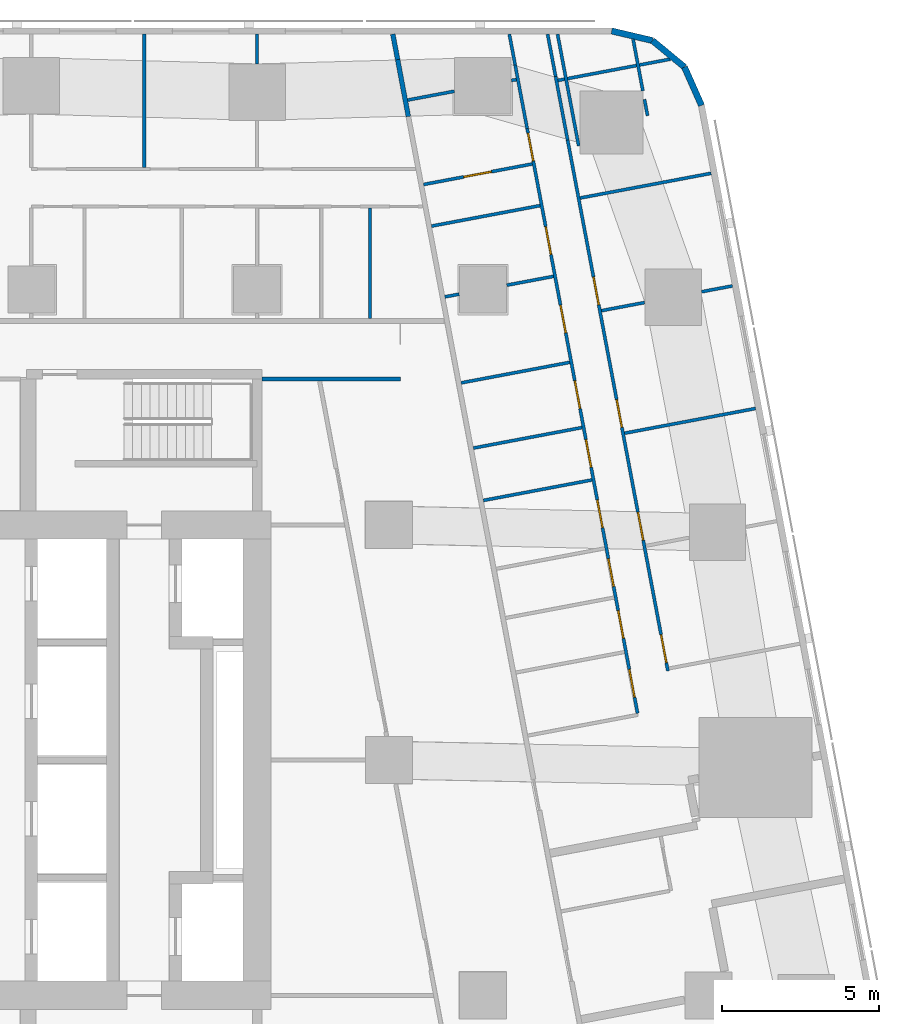
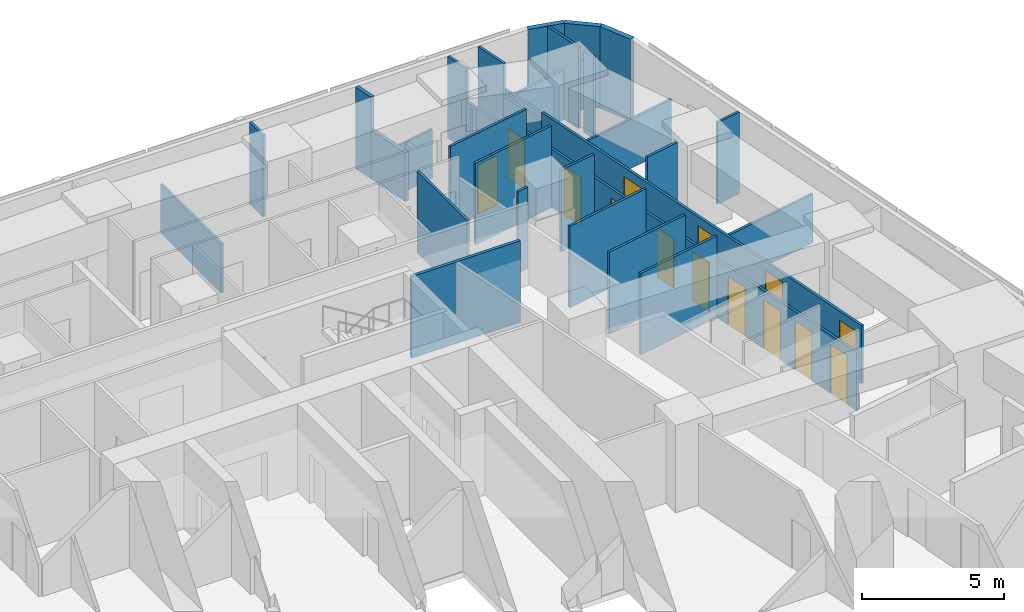
# One storey, part 11 of 15: 32 walls, 14 doors, 14 openings.
"""IFC4 building model written with IfcOpenShell, lengths in metres."""

from ifc_helpers import new_model, si_unit, direction, frame, frame_2d, origin, place, context, subcontext, project, spatial, rectangle, extrude, material, layer, layer_set, type_object, element, fill, save


model = new_model("IFC4")

# Units and contexts
model_context = context("Model", 3, precision=1e-05, world=origin(), true_north=direction((0.0, 1.0)))
body_context = subcontext(model_context, "Body", "Model", "MODEL_VIEW")
ifc_project = project(units=[si_unit("LENGTHUNIT", "METRE"), si_unit("AREAUNIT", "SQUARE_METRE"), si_unit("VOLUMEUNIT", "CUBIC_METRE"), si_unit("PLANEANGLEUNIT", "RADIAN"), si_unit("MASSUNIT", "GRAM", prefix="KILO")], contexts=[model_context])

# Site, building, storey
site_placement = place(None, origin())
site = spatial("IfcSite", under=ifc_project, at=site_placement, CompositionType="ELEMENT")
building_placement = place(site_placement, origin())
building = spatial("IfcBuilding", under=site, at=building_placement, Name="Sheger Commons Tower", CompositionType="ELEMENT")
storey_placement = place(building_placement, frame((0.0, 0.0, 162.050048828125)))
storey = spatial("IfcBuildingStorey", under=building, at=storey_placement, Name="L41", CompositionType="ELEMENT", Elevation=162.050048828125)

# Walls
ifc_material_1 = material(Name="Hollow concrete block masonry, skimmed both sides", Category="masonry")
ifc_layer_1 = layer(ifc_material_1, 0.14990234375)
ifc_layer_set_1 = layer_set([ifc_layer_1], Name="CORRIDOR WALL 150")
wall_type_1 = type_object("IfcWallType", Name="CORRIDOR WALL 150", PredefinedType="SOLIDWALL", material=ifc_layer_set_1)
wall_1_placement = place(storey_placement, frame((33.126953125, 45.64990234375, 0.0), z_axis=(0.0, 0.0, 1.0), x_axis=(0.186176514576, -0.982516313056, 0.0)))
element("IfcWall", 1, at=wall_1_placement, inside=storey, type_object=wall_type_1, Name="Corridor wall L41", PredefinedType="SOLIDWALL", context=body_context, shape_type="SweptSolid", body=[
    extrude(rectangle(XDim=0.827392578125, YDim=0.14990234375, at=frame_2d((0.41357421875, 0.0))), origin(), (0.0, 0.0, 1.0), 3.5),
])
wall_2_placement = place(storey_placement, frame((33.281005859375, 44.8369140625, 0.0), z_axis=(0.0, 0.0, 1.0), x_axis=(0.185198323004, -0.982701165745, 0.0)))
element("IfcWall", 2, at=wall_2_placement, inside=storey, type_object=wall_type_1, Name="Corridor wall L41", PredefinedType="SOLIDWALL", context=body_context, shape_type="SweptSolid", body=[
    extrude(rectangle(XDim=1.846923828125, YDim=0.14990234375, at=frame_2d((0.92333984375, 0.0))), origin(), (0.0, 0.0, 1.0), 2.099853515625),
])
ifc_material_2 = material(Name="Rendered concrete block masonry, dark grey", Category="masonry")
ifc_layer_2 = layer(ifc_material_2, 0.199951171875)
ifc_layer_set_2 = layer_set([ifc_layer_2], Name="FACADE WALL 200")
wall_type_2 = type_object("IfcWallType", Name="FACADE WALL 200", PredefinedType="SOLIDWALL", material=ifc_layer_set_2)
wall_3_placement = place(storey_placement, frame((42.969970703125, 43.376953125, 0.0), z_axis=(0.0, 0.0, 1.0), x_axis=(-0.406002956633, 0.913871762998, 0.0)))
element("IfcWall", 3, at=wall_3_placement, inside=storey, type_object=wall_type_2, Name="Facade wall L41", PredefinedType="SOLIDWALL", context=body_context, shape_type="SweptSolid", body=[
    extrude(rectangle(XDim=1.33740234375, YDim=0.199951171875, at=frame_2d((0.668701171875, 0.0))), origin(), (0.0, 0.0, 1.0), 3.5),
])
wall_4_placement = place(storey_placement, frame((42.427001953125, 44.59912109375, 0.0), z_axis=(0.0, 0.0, 1.0), x_axis=(-0.770091412544, 0.637933551655, 0.0)))
element("IfcWall", 4, at=wall_4_placement, inside=storey, type_object=wall_type_2, Name="Facade wall L41", PredefinedType="SOLIDWALL", context=body_context, shape_type="SweptSolid", body=[
    extrude(rectangle(XDim=1.324462890625, YDim=0.199951171875, at=frame_2d((0.662109375, 0.0))), origin(), (0.0, 0.0, 1.0), 3.5),
])
wall_5_placement = place(storey_placement, frame((41.406982421875, 45.444091796875, 0.0), z_axis=(0.0, 0.0, 1.0), x_axis=(-0.973453091607, 0.228886606077, 0.0)))
element("IfcWall", 5, at=wall_5_placement, inside=storey, type_object=wall_type_2, Name="Facade wall L41", PredefinedType="SOLIDWALL", context=body_context, shape_type="SweptSolid", body=[
    extrude(rectangle(XDim=1.33642578125, YDim=0.199951171875, at=frame_2d((0.668212890625, 0.0))), origin(), (0.0, 0.0, 1.0), 3.5),
])
ifc_material_3 = material(Name="Gypsum board on steel studs", Category="steel")
ifc_layer_3 = layer(ifc_material_3, 0.10009765625)
ifc_layer_set_3 = layer_set([ifc_layer_3], Name="PARTITION 100")
wall_type_3 = type_object("IfcWallType", Name="PARTITION 100", PredefinedType="PARTITIONING", material=ifc_layer_set_3)
wall_6_placement = place(storey_placement, frame((39.053955078125, 42.0849609375, 0.0), z_axis=(0.0, 0.0, 1.0), x_axis=(-0.185791584218, 0.982589175207, 0.0)))
element("IfcWall", 6, at=wall_6_placement, inside=storey, type_object=wall_type_3, Name="Partition L41", PredefinedType="PARTITIONING", context=body_context, shape_type="SweptSolid", body=[
    extrude(rectangle(XDim=3.628173828125, YDim=0.10009765625, at=frame_2d((1.81396484375, 0.0))), origin(), (0.0, 0.0, 1.0), 2.099853515625),
])
wall_7_placement = place(storey_placement, frame((40.7890625, 45.487060546875, 0.0), z_axis=(0.0, 0.0, 1.0), x_axis=(0.185572395193, -0.982630594955, 0.0)))
element("IfcWall", 7, at=wall_7_placement, inside=storey, type_object=wall_type_3, Name="Partition L41", PredefinedType="PARTITIONING", context=body_context, shape_type="SweptSolid", body=[
    extrude(rectangle(XDim=1.676025390625, YDim=0.10009765625, at=frame_2d((0.837890625, 0.0))), origin(), (0.0, 0.0, 1.0), 3.5),
])
wall_8_placement = place(storey_placement, frame((41.15087890625, 43.569091796875, 0.0), z_axis=(0.0, 0.0, 1.0), x_axis=(0.186563073924, -0.982442985342, 0.0)))
element("IfcWall", 8, at=wall_8_placement, inside=storey, type_object=wall_type_3, Name="Partition L41", PredefinedType="PARTITIONING", context=body_context, shape_type="SweptSolid", body=[
    extrude(rectangle(XDim=0.53125, YDim=0.10009765625, at=frame_2d((0.265625, 0.0))), origin(), (0.0, 0.0, 1.0), 3.5),
])
wall_9_placement = place(storey_placement, frame((38.06298828125, 45.64990234375, 0.0), z_axis=(0.0, 0.0, 1.0), x_axis=(0.185456359766, -0.982652501458, 0.0)))
element("IfcWall", 9, at=wall_9_placement, inside=storey, type_object=wall_type_3, Name="Partition L41", PredefinedType="PARTITIONING", context=body_context, shape_type="SweptSolid", body=[
    extrude(rectangle(XDim=1.375732421875, YDim=0.10009765625, at=frame_2d((0.68798828125, 0.0))), origin(), (0.0, 0.0, 1.0), 3.5),
])
wall_10_placement = place(storey_placement, frame((38.318115234375, 44.298095703125, 0.0), z_axis=(0.0, 0.0, 1.0), x_axis=(0.185481135188, -0.982647825261, 0.0)))
element("IfcWall", 10, at=wall_10_placement, inside=storey, type_object=wall_type_3, Name="Partition L41", PredefinedType="PARTITIONING", context=body_context, shape_type="SweptSolid", body=[
    extrude(rectangle(XDim=2.06396484375, YDim=0.10009765625, at=frame_2d((1.031982421875, 0.0))), origin(), (0.0, 0.0, 1.0), 2.099853515625),
])

# Wall, openings, doors
wall_11_placement = place(storey_placement, frame((38.700927734375, 42.27001953125, 0.0), z_axis=(0.0, 0.0, 1.0), x_axis=(0.185644634212, -0.982616949675, 0.0)))
wall_11 = element("IfcWall", 11, at=wall_11_placement, inside=storey, type_object=wall_type_3, Name="Partition L41", PredefinedType="PARTITIONING", context=body_context, shape_type="SweptSolid", body=[
    extrude(rectangle(XDim=17.2265625, YDim=0.10009765625, at=frame_2d((8.61328125, 0.0))), origin(), (0.0, 0.0, 1.0), 2.5),
])
opening_1_placement = place(wall_11_placement, frame((16.053955078125, 0.0, 0.0)))
opening_1 = element("IfcOpeningElement", 12, at=opening_1_placement, cuts=wall_11, Name="Opening D2", PredefinedType="OPENING", context=body_context, shape_type="SweptSolid", body=[
    extrude(rectangle(XDim=0.89990234375, YDim=2.10009765625, at=frame_2d((0.449951171875, 1.050048828125))), frame((0.0, 0.06005859375, 0.0), z_axis=(0.0, -1.0, 0.0), x_axis=(1.0, 0.0, 0.0)), (0.0, 0.0, 1.0), 0.1201171875),
])
opening_2_placement = place(wall_11_placement, frame((12.076904296875, 0.0, 0.0)))
opening_2 = element("IfcOpeningElement", 13, at=opening_2_placement, cuts=wall_11, Name="Opening D2", PredefinedType="OPENING", context=body_context, shape_type="SweptSolid", body=[
    extrude(rectangle(XDim=0.89990234375, YDim=2.10009765625, at=frame_2d((0.449951171875, 1.050048828125))), frame((0.0, 0.06005859375, 0.0), z_axis=(0.0, -1.0, 0.0), x_axis=(1.0, 0.0, 0.0)), (0.0, 0.0, 1.0), 0.1201171875),
])
opening_3_placement = place(wall_11_placement, frame((8.419921875, 0.0, 0.0)))
opening_3 = element("IfcOpeningElement", 14, at=opening_3_placement, cuts=wall_11, Name="Opening D2", PredefinedType="OPENING", context=body_context, shape_type="SweptSolid", body=[
    extrude(rectangle(XDim=0.89990234375, YDim=2.10009765625, at=frame_2d((0.449951171875, 1.050048828125))), frame((0.0, 0.06005859375, 0.0), z_axis=(0.0, -1.0, 0.0), x_axis=(1.0, 0.0, 0.0)), (0.0, 0.0, 1.0), 0.1201171875),
])
opening_4_placement = place(wall_11_placement, frame((4.444091796875, 0.0, 0.0)))
opening_4 = element("IfcOpeningElement", 15, at=opening_4_placement, cuts=wall_11, Name="Opening D2", PredefinedType="OPENING", context=body_context, shape_type="SweptSolid", body=[
    extrude(rectangle(XDim=0.89990234375, YDim=2.10009765625, at=frame_2d((0.449951171875, 1.050048828125))), frame((0.0, 0.06005859375, 0.0), z_axis=(0.0, -1.0, 0.0), x_axis=(1.0, 0.0, 0.0)), (0.0, 0.0, 1.0), 0.1201171875),
])
ifc_material_4 = material(Name="Timber door set", Category="wood")
door_type = type_object("IfcDoorType", Name="INTERNAL DOOR 900x2100", OperationType="NOTDEFINED", PredefinedType="DOOR", material=ifc_material_4)
door_1_placement = place(opening_1_placement, origin())
door_1 = element("IfcDoor", 16, at=door_1_placement, inside=storey, type_object=door_type, Name="Main bedroom door", OperationType="SINGLE_SWING_RIGHT", OverallHeight=2.10009765625, OverallWidth=0.89990234375, PredefinedType="DOOR", context=body_context, shape_type="SweptSolid", body=[
    extrude(rectangle(XDim=0.89990234375, YDim=2.10009765625, at=frame_2d((0.449951171875, 1.050048828125))), frame((0.0, 0.02490234375, 0.0), z_axis=(0.0, -1.0, 0.0), x_axis=(1.0, 0.0, 0.0)), (0.0, 0.0, 1.0), 0.050048828125),
])
fill(opening_1, door_1)
door_2_placement = place(opening_2_placement, origin())
door_2 = element("IfcDoor", 17, at=door_2_placement, inside=storey, type_object=door_type, Name="Bedroom 2 door", OperationType="SINGLE_SWING_RIGHT", OverallHeight=2.10009765625, OverallWidth=0.89990234375, PredefinedType="DOOR", context=body_context, shape_type="SweptSolid", body=[
    extrude(rectangle(XDim=0.89990234375, YDim=2.10009765625, at=frame_2d((0.449951171875, 1.050048828125))), frame((0.0, 0.02490234375, 0.0), z_axis=(0.0, -1.0, 0.0), x_axis=(1.0, 0.0, 0.0)), (0.0, 0.0, 1.0), 0.050048828125),
])
fill(opening_2, door_2)
door_3_placement = place(opening_3_placement, origin())
door_3 = element("IfcDoor", 18, at=door_3_placement, inside=storey, type_object=door_type, Name="Bedroom 3 door", OperationType="SINGLE_SWING_RIGHT", OverallHeight=2.10009765625, OverallWidth=0.89990234375, PredefinedType="DOOR", context=body_context, shape_type="SweptSolid", body=[
    extrude(rectangle(XDim=0.89990234375, YDim=2.10009765625, at=frame_2d((0.449951171875, 1.050048828125))), frame((0.0, 0.02490234375, 0.0), z_axis=(0.0, -1.0, 0.0), x_axis=(1.0, 0.0, 0.0)), (0.0, 0.0, 1.0), 0.050048828125),
])
fill(opening_3, door_3)
door_4_placement = place(opening_4_placement, origin())
door_4 = element("IfcDoor", 19, at=door_4_placement, inside=storey, type_object=door_type, Name="Bedroom 4 door", OperationType="SINGLE_SWING_RIGHT", OverallHeight=2.10009765625, OverallWidth=0.89990234375, PredefinedType="DOOR", context=body_context, shape_type="SweptSolid", body=[
    extrude(rectangle(XDim=0.89990234375, YDim=2.10009765625, at=frame_2d((0.449951171875, 1.050048828125))), frame((0.0, 0.02490234375, 0.0), z_axis=(0.0, -1.0, 0.0), x_axis=(1.0, 0.0, 0.0)), (0.0, 0.0, 1.0), 0.050048828125),
])
fill(opening_4, door_4)

# Walls
wall_12_placement = place(storey_placement, frame((36.842041015625, 45.64990234375, 0.0), z_axis=(0.0, 0.0, 1.0), x_axis=(0.185789875365, -0.982589498322, 0.0)))
element("IfcWall", 20, at=wall_12_placement, inside=storey, type_object=wall_type_3, Name="Partition L41", PredefinedType="PARTITIONING", context=body_context, shape_type="SweptSolid", body=[
    extrude(rectangle(XDim=1.001220703125, YDim=0.10009765625, at=frame_2d((0.50048828125, 0.0))), origin(), (0.0, 0.0, 1.0), 3.5),
])
wall_13_placement = place(storey_placement, frame((37.028076171875, 44.666015625, 0.0), z_axis=(0.0, 0.0, 1.0), x_axis=(0.185481135188, -0.982647825261, 0.0)))
element("IfcWall", 21, at=wall_13_placement, inside=storey, type_object=wall_type_3, Name="Partition L41", PredefinedType="PARTITIONING", context=body_context, shape_type="SweptSolid", body=[
    extrude(rectangle(XDim=2.06396484375, YDim=0.10009765625, at=frame_2d((1.031982421875, 0.0))), origin(), (0.0, 0.0, 1.0), 2.099853515625),
])

# Wall, openings, doors
wall_14_placement = place(storey_placement, frame((37.410888671875, 42.637939453125, 0.0), z_axis=(0.0, 0.0, 1.0), x_axis=(0.185554598549, -0.982633955732, 0.0)))
wall_14 = element("IfcWall", 22, at=wall_14_placement, inside=storey, type_object=wall_type_3, Name="Partition L41", PredefinedType="PARTITIONING", context=body_context, shape_type="SweptSolid", body=[
    extrude(rectangle(XDim=18.9755859375, YDim=0.10009765625, at=frame_2d((9.48779296875, 0.0))), origin(), (0.0, 0.0, 1.0), 2.5),
])
opening_5_placement = place(wall_14_placement, frame((17.551025390625, 0.0, 0.0)))
opening_5 = element("IfcOpeningElement", 23, at=opening_5_placement, cuts=wall_14, Name="Opening D2", PredefinedType="OPENING", context=body_context, shape_type="SweptSolid", body=[
    extrude(rectangle(XDim=0.89990234375, YDim=2.10009765625, at=frame_2d((0.449951171875, 1.050048828125))), frame((0.0, 0.06005859375, 0.0), z_axis=(0.0, -1.0, 0.0), x_axis=(1.0, 0.0, 0.0)), (0.0, 0.0, 1.0), 0.1201171875),
])
opening_6_placement = place(wall_14_placement, frame((13.958984375, 0.0, 0.0)))
opening_6 = element("IfcOpeningElement", 24, at=opening_6_placement, cuts=wall_14, Name="Opening D2", PredefinedType="OPENING", context=body_context, shape_type="SweptSolid", body=[
    extrude(rectangle(XDim=0.89990234375, YDim=2.10009765625, at=frame_2d((0.449951171875, 1.050048828125))), frame((0.0, 0.06005859375, 0.0), z_axis=(0.0, -1.0, 0.0), x_axis=(1.0, 0.0, 0.0)), (0.0, 0.0, 1.0), 0.1201171875),
])
opening_7_placement = place(wall_14_placement, frame((10.092041015625, 0.0, 0.0)))
opening_7 = element("IfcOpeningElement", 25, at=opening_7_placement, cuts=wall_14, Name="Opening D2", PredefinedType="OPENING", context=body_context, shape_type="SweptSolid", body=[
    extrude(rectangle(XDim=0.89990234375, YDim=2.10009765625, at=frame_2d((0.449951171875, 1.050048828125))), frame((0.0, 0.06005859375, 0.0), z_axis=(0.0, -1.0, 0.0), x_axis=(1.0, 0.0, 0.0)), (0.0, 0.0, 1.0), 0.1201171875),
])
opening_8_placement = place(wall_14_placement, frame((5.73095703125, 0.0, 0.0)))
opening_8 = element("IfcOpeningElement", 26, at=opening_8_placement, cuts=wall_14, Name="Opening D2", PredefinedType="OPENING", context=body_context, shape_type="SweptSolid", body=[
    extrude(rectangle(XDim=0.89990234375, YDim=2.10009765625, at=frame_2d((0.449951171875, 1.050048828125))), frame((0.0, 0.06005859375, 0.0), z_axis=(0.0, -1.0, 0.0), x_axis=(1.0, 0.0, 0.0)), (0.0, 0.0, 1.0), 0.1201171875),
])
opening_9_placement = place(wall_14_placement, frame((3.18798828125, 0.0, 0.0)))
opening_9 = element("IfcOpeningElement", 27, at=opening_9_placement, cuts=wall_14, Name="Opening D2", PredefinedType="OPENING", context=body_context, shape_type="SweptSolid", body=[
    extrude(rectangle(XDim=0.89990234375, YDim=2.10009765625, at=frame_2d((0.449951171875, 1.050048828125))), frame((0.0, 0.06005859375, 0.0), z_axis=(0.0, -1.0, 0.0), x_axis=(1.0, 0.0, 0.0)), (0.0, 0.0, 1.0), 0.1201171875),
])
opening_10_placement = place(wall_14_placement, frame((0.14990234375, 0.0, 0.0)))
opening_10 = element("IfcOpeningElement", 28, at=opening_10_placement, cuts=wall_14, Name="Opening D2", PredefinedType="OPENING", context=body_context, shape_type="SweptSolid", body=[
    extrude(rectangle(XDim=0.89990234375, YDim=2.10009765625, at=frame_2d((0.449951171875, 1.050048828125))), frame((0.0, 0.06005859375, 0.0), z_axis=(0.0, -1.0, 0.0), x_axis=(1.0, 0.0, 0.0)), (0.0, 0.0, 1.0), 0.1201171875),
])
opening_11_placement = place(wall_14_placement, frame((15.64208984375, 0.0, 0.0)))
opening_11 = element("IfcOpeningElement", 29, at=opening_11_placement, cuts=wall_14, Name="Opening D2", PredefinedType="OPENING", context=body_context, shape_type="SweptSolid", body=[
    extrude(rectangle(XDim=0.89990234375, YDim=2.10009765625, at=frame_2d((0.449951171875, 1.050048828125))), frame((0.0, 0.06005859375, 0.0), z_axis=(0.0, -1.0, 0.0), x_axis=(1.0, 0.0, 0.0)), (0.0, 0.0, 1.0), 0.1201171875),
])
opening_12_placement = place(wall_14_placement, frame((12.051025390625, 0.0, 0.0)))
opening_12 = element("IfcOpeningElement", 30, at=opening_12_placement, cuts=wall_14, Name="Opening D2", PredefinedType="OPENING", context=body_context, shape_type="SweptSolid", body=[
    extrude(rectangle(XDim=0.89990234375, YDim=2.10009765625, at=frame_2d((0.449951171875, 1.050048828125))), frame((0.0, 0.06005859375, 0.0), z_axis=(0.0, -1.0, 0.0), x_axis=(1.0, 0.0, 0.0)), (0.0, 0.0, 1.0), 0.1201171875),
])
opening_13_placement = place(wall_14_placement, frame((8.18505859375, 0.0, 0.0)))
opening_13 = element("IfcOpeningElement", 31, at=opening_13_placement, cuts=wall_14, Name="Opening D2", PredefinedType="OPENING", context=body_context, shape_type="SweptSolid", body=[
    extrude(rectangle(XDim=0.89990234375, YDim=2.10009765625, at=frame_2d((0.449951171875, 1.050048828125))), frame((0.0, 0.06005859375, 0.0), z_axis=(0.0, -1.0, 0.0), x_axis=(1.0, 0.0, 0.0)), (0.0, 0.0, 1.0), 0.1201171875),
])
door_5_placement = place(opening_5_placement, origin())
door_5 = element("IfcDoor", 32, at=door_5_placement, inside=storey, type_object=door_type, Name="Bathroom door", OperationType="SINGLE_SWING_LEFT", OverallHeight=2.10009765625, OverallWidth=0.89990234375, PredefinedType="DOOR", context=body_context, shape_type="SweptSolid", body=[
    extrude(rectangle(XDim=0.89990234375, YDim=2.10009765625, at=frame_2d((0.449951171875, 1.050048828125))), frame((0.0, 0.02490234375, 0.0), z_axis=(0.0, -1.0, 0.0), x_axis=(1.0, 0.0, 0.0)), (0.0, 0.0, 1.0), 0.050048828125),
])
fill(opening_5, door_5)
door_6_placement = place(opening_6_placement, origin())
door_6 = element("IfcDoor", 33, at=door_6_placement, inside=storey, type_object=door_type, Name="Shower room door", OperationType="SINGLE_SWING_LEFT", OverallHeight=2.10009765625, OverallWidth=0.89990234375, PredefinedType="DOOR", context=body_context, shape_type="SweptSolid", body=[
    extrude(rectangle(XDim=0.89990234375, YDim=2.10009765625, at=frame_2d((0.449951171875, 1.050048828125))), frame((0.0, 0.02490234375, 0.0), z_axis=(0.0, -1.0, 0.0), x_axis=(1.0, 0.0, 0.0)), (0.0, 0.0, 1.0), 0.050048828125),
])
fill(opening_6, door_6)
door_7_placement = place(opening_7_placement, origin())
door_7 = element("IfcDoor", 34, at=door_7_placement, inside=storey, type_object=door_type, Name="Laundry room door", OperationType="SINGLE_SWING_LEFT", OverallHeight=2.10009765625, OverallWidth=0.89990234375, PredefinedType="DOOR", context=body_context, shape_type="SweptSolid", body=[
    extrude(rectangle(XDim=0.89990234375, YDim=2.10009765625, at=frame_2d((0.449951171875, 1.050048828125))), frame((0.0, 0.02490234375, 0.0), z_axis=(0.0, -1.0, 0.0), x_axis=(1.0, 0.0, 0.0)), (0.0, 0.0, 1.0), 0.050048828125),
])
fill(opening_7, door_7)
door_8_placement = place(opening_8_placement, origin())
door_8 = element("IfcDoor", 35, at=door_8_placement, inside=storey, type_object=door_type, Name="Store and laundry door", OperationType="SINGLE_SWING_RIGHT", OverallHeight=2.10009765625, OverallWidth=0.89990234375, PredefinedType="DOOR", context=body_context, shape_type="SweptSolid", body=[
    extrude(rectangle(XDim=0.89990234375, YDim=2.10009765625, at=frame_2d((0.449951171875, 1.050048828125))), frame((0.0, 0.02490234375, 0.0), z_axis=(0.0, -1.0, 0.0), x_axis=(1.0, 0.0, 0.0)), (0.0, 0.0, 1.0), 0.050048828125),
])
fill(opening_8, door_8)
door_9_placement = place(opening_9_placement, origin())
door_9 = element("IfcDoor", 36, at=door_9_placement, inside=storey, type_object=door_type, Name="Store and laundry door", OperationType="SINGLE_SWING_RIGHT", OverallHeight=2.10009765625, OverallWidth=0.89990234375, PredefinedType="DOOR", context=body_context, shape_type="SweptSolid", body=[
    extrude(rectangle(XDim=0.89990234375, YDim=2.10009765625, at=frame_2d((0.449951171875, 1.050048828125))), frame((0.0, 0.02490234375, 0.0), z_axis=(0.0, -1.0, 0.0), x_axis=(1.0, 0.0, 0.0)), (0.0, 0.0, 1.0), 0.050048828125),
])
fill(opening_9, door_9)
door_10_placement = place(opening_10_placement, origin())
door_10 = element("IfcDoor", 37, at=door_10_placement, inside=storey, type_object=door_type, Name="Store and laundry door", OperationType="SINGLE_SWING_RIGHT", OverallHeight=2.10009765625, OverallWidth=0.89990234375, PredefinedType="DOOR", context=body_context, shape_type="SweptSolid", body=[
    extrude(rectangle(XDim=0.89990234375, YDim=2.10009765625, at=frame_2d((0.449951171875, 1.050048828125))), frame((0.0, 0.02490234375, 0.0), z_axis=(0.0, -1.0, 0.0), x_axis=(1.0, 0.0, 0.0)), (0.0, 0.0, 1.0), 0.050048828125),
])
fill(opening_10, door_10)
door_11_placement = place(opening_11_placement, origin())
door_11 = element("IfcDoor", 38, at=door_11_placement, inside=storey, type_object=door_type, Name="Store door", OperationType="SINGLE_SWING_RIGHT", OverallHeight=2.10009765625, OverallWidth=0.89990234375, PredefinedType="DOOR", context=body_context, shape_type="SweptSolid", body=[
    extrude(rectangle(XDim=0.89990234375, YDim=2.10009765625, at=frame_2d((0.449951171875, 1.050048828125))), frame((0.0, 0.02490234375, 0.0), z_axis=(0.0, -1.0, 0.0), x_axis=(1.0, 0.0, 0.0)), (0.0, 0.0, 1.0), 0.050048828125),
])
fill(opening_11, door_11)
door_12_placement = place(opening_12_placement, origin())
door_12 = element("IfcDoor", 39, at=door_12_placement, inside=storey, type_object=door_type, Name="Store door", OperationType="SINGLE_SWING_LEFT", OverallHeight=2.10009765625, OverallWidth=0.89990234375, PredefinedType="DOOR", context=body_context, shape_type="SweptSolid", body=[
    extrude(rectangle(XDim=0.89990234375, YDim=2.10009765625, at=frame_2d((0.449951171875, 1.050048828125))), frame((0.0, 0.02490234375, 0.0), z_axis=(0.0, -1.0, 0.0), x_axis=(1.0, 0.0, 0.0)), (0.0, 0.0, 1.0), 0.050048828125),
])
fill(opening_12, door_12)
door_13_placement = place(opening_13_placement, origin())
door_13 = element("IfcDoor", 40, at=door_13_placement, inside=storey, type_object=door_type, Name="Store door", OperationType="SINGLE_SWING_LEFT", OverallHeight=2.10009765625, OverallWidth=0.89990234375, PredefinedType="DOOR", context=body_context, shape_type="SweptSolid", body=[
    extrude(rectangle(XDim=0.89990234375, YDim=2.10009765625, at=frame_2d((0.449951171875, 1.050048828125))), frame((0.0, 0.02490234375, 0.0), z_axis=(0.0, -1.0, 0.0), x_axis=(1.0, 0.0, 0.0)), (0.0, 0.0, 1.0), 0.050048828125),
])
fill(opening_13, door_13)

# Walls
wall_15_placement = place(storey_placement, frame((41.968017578125, 44.85009765625, 0.0), z_axis=(0.0, 0.0, 1.0), x_axis=(-0.98258614234, -0.185807623311, 0.0)))
element("IfcWall", 41, at=wall_15_placement, inside=storey, type_object=wall_type_3, Name="Partition L41", PredefinedType="PARTITIONING", context=body_context, shape_type="SweptSolid", body=[
    extrude(rectangle(XDim=3.638427734375, YDim=0.10009765625, at=frame_2d((1.8193359375, 0.0))), origin(), (0.0, 0.0, 1.0), 2.099853515625),
])
wall_16_placement = place(storey_placement, frame((43.277099609375, 41.2119140625, 0.0), z_axis=(0.0, 0.0, 1.0), x_axis=(-0.982665405803, -0.185387972203, 0.0)))
element("IfcWall", 42, at=wall_16_placement, inside=storey, type_object=wall_type_3, Name="Partition L41", PredefinedType="PARTITIONING", context=body_context, shape_type="SweptSolid", body=[
    extrude(rectangle(XDim=4.249755859375, YDim=0.10009765625, at=frame_2d((2.125, 0.0))), origin(), (0.0, 0.0, 1.0), 2.099853515625),
])
wall_17_placement = place(storey_placement, frame((43.955078125, 37.6201171875, 0.0), z_axis=(0.0, 0.0, 1.0), x_axis=(-0.982666697719, -0.185381124159, 0.0)))
element("IfcWall", 43, at=wall_17_placement, inside=storey, type_object=wall_type_3, Name="Partition L41", PredefinedType="PARTITIONING", context=body_context, shape_type="SweptSolid", body=[
    extrude(rectangle(XDim=0.998291015625, YDim=0.10009765625, at=frame_2d((0.4990234375, 0.0))), origin(), (0.0, 0.0, 1.0), 3.5),
])
wall_18_placement = place(storey_placement, frame((41.154052734375, 37.091064453125, 0.0), z_axis=(0.0, 0.0, 1.0), x_axis=(-0.982562488259, -0.185932667021, 0.0)))
element("IfcWall", 44, at=wall_18_placement, inside=storey, type_object=wall_type_3, Name="Partition L41", PredefinedType="PARTITIONING", context=body_context, shape_type="SweptSolid", body=[
    extrude(rectangle(XDim=1.3984375, YDim=0.10009765625, at=frame_2d((0.69921875, 0.0))), origin(), (0.0, 0.0, 1.0), 3.5),
])
wall_19_placement = place(storey_placement, frame((44.693115234375, 33.712890625, 0.0), z_axis=(0.0, 0.0, 1.0), x_axis=(-0.982615600536, -0.185651775062, 0.0)))
element("IfcWall", 45, at=wall_19_placement, inside=storey, type_object=wall_type_3, Name="Partition L41", PredefinedType="PARTITIONING", context=body_context, shape_type="SweptSolid", body=[
    extrude(rectangle(XDim=4.2490234375, YDim=0.10009765625, at=frame_2d((2.12451171875, 0.0))), origin(), (0.0, 0.0, 1.0), 2.099853515625),
])
wall_20_placement = place(storey_placement, frame((37.06494140625, 44.200927734375, 0.0), z_axis=(0.0, 0.0, 1.0), x_axis=(-0.983168876381, -0.182699098288, 0.0)))
element("IfcWall", 46, at=wall_20_placement, inside=storey, type_object=wall_type_3, Name="Partition L41", PredefinedType="PARTITIONING", context=body_context, shape_type="SweptSolid", body=[
    extrude(rectangle(XDim=0.15771484375, YDim=0.10009765625, at=frame_2d((0.078857421875, 0.0))), origin(), (0.0, 0.0, 1.0), 2.099853515625),
])
wall_21_placement = place(storey_placement, frame((35.090087890625, 43.827880859375, 0.0), z_axis=(0.0, 0.0, 1.0), x_axis=(-0.982683801717, -0.185290436461, 0.0)))
element("IfcWall", 47, at=wall_21_placement, inside=storey, type_object=wall_type_3, Name="Partition L41", PredefinedType="PARTITIONING", context=body_context, shape_type="SweptSolid", body=[
    extrude(rectangle(XDim=1.51513671875, YDim=0.10009765625, at=frame_2d((0.757568359375, 0.0))), origin(), (0.0, 0.0, 1.0), 2.099853515625),
])
wall_22_placement = place(storey_placement, frame((37.823974609375, 40.181884765625, 0.0), z_axis=(0.0, 0.0, 1.0), x_axis=(-0.982648794755, -0.185475998897, 0.0)))
element("IfcWall", 48, at=wall_22_placement, inside=storey, type_object=wall_type_3, Name="Partition L41", PredefinedType="PARTITIONING", context=body_context, shape_type="SweptSolid", body=[
    extrude(rectangle(XDim=3.525146484375, YDim=0.10009765625, at=frame_2d((1.7626953125, 0.0))), origin(), (0.0, 0.0, 1.0), 3.5),
])
wall_23_placement = place(storey_placement, frame((38.25, 37.925048828125, 0.0), z_axis=(0.0, 0.0, 1.0), x_axis=(-0.982676595259, -0.18532865167, 0.0)))
element("IfcWall", 49, at=wall_23_placement, inside=storey, type_object=wall_type_3, Name="Partition L41", PredefinedType="PARTITIONING", context=body_context, shape_type="SweptSolid", body=[
    extrude(rectangle(XDim=1.516357421875, YDim=0.10009765625, at=frame_2d((0.75830078125, 0.0))), origin(), (0.0, 0.0, 1.0), 3.5),
])
wall_24_placement = place(storey_placement, frame((35.239990234375, 37.35693359375, 0.0), z_axis=(0.0, 0.0, 1.0), x_axis=(-0.982559813104, -0.18594680334, 0.0)))
element("IfcWall", 50, at=wall_24_placement, inside=storey, type_object=wall_type_3, Name="Partition L41", PredefinedType="PARTITIONING", context=body_context, shape_type="SweptSolid", body=[
    extrude(rectangle(XDim=0.462158203125, YDim=0.10009765625, at=frame_2d((0.23095703125, 0.0))), origin(), (0.0, 0.0, 1.0), 3.5),
])
for number, where, z_axis, x_axis, name in (
    (51, (39.47607421875, 31.43408203125, 0.0), (0.0, 0.0, 1.0), (-0.982638553676, -0.185530247748, 0.0), "Partition L41"),
    (52, (38.76806640625, 35.18408203125, 0.0), (0.0, 0.0, 1.0), (-0.982588017646, -0.185797706064, 0.0), "Partition L41"),
):
    element("IfcWall", number, at=place(storey_placement, frame(where, z_axis=z_axis, x_axis=x_axis)), inside=storey, type_object=wall_type_3, Name=name, PredefinedType="PARTITIONING", context=body_context, shape_type="SweptSolid", body=[
        extrude(rectangle(XDim=3.525390625, YDim=0.10009765625, at=frame_2d((1.7626953125, 0.0))), origin(), (0.0, 0.0, 1.0), 3.5),
    ])
wall_25_placement = place(storey_placement, frame((39.159912109375, 33.10498046875, 0.0), z_axis=(0.0, 0.0, 1.0), x_axis=(-0.982585626838, -0.185810349366, 0.0)))
element("IfcWall", 53, at=wall_25_placement, inside=storey, type_object=wall_type_3, Name="Partition L41", PredefinedType="PARTITIONING", context=body_context, shape_type="SweptSolid", body=[
    extrude(rectangle(XDim=3.525146484375, YDim=0.10009765625, at=frame_2d((1.7626953125, 0.0))), origin(), (0.0, 0.0, 1.0), 3.5),
])
wall_26_placement = place(storey_placement, frame((25.199951171875, 41.39990234375, 0.0), z_axis=(0.0, 0.0, 1.0), x_axis=(0.0, 1.0, 0.0)))
element("IfcWall", 54, at=wall_26_placement, inside=storey, type_object=wall_type_3, Name="Partition L41", PredefinedType="PARTITIONING", context=body_context, shape_type="SweptSolid", body=[
    extrude(rectangle(XDim=4.25, YDim=0.10009765625, at=frame_2d((2.125, 0.0))), origin(), (0.0, 0.0, 1.0), 2.099853515625),
])
wall_27_placement = place(storey_placement, frame((28.800048828125, 44.700927734375, 0.0), z_axis=(0.0, 0.0, 1.0), x_axis=(0.0, 1.0, 0.0)))
element("IfcWall", 55, at=wall_27_placement, inside=storey, type_object=wall_type_3, Name="Partition L41", PredefinedType="PARTITIONING", context=body_context, shape_type="SweptSolid", body=[
    extrude(rectangle(XDim=0.948974609375, YDim=0.10009765625, at=frame_2d((0.474609375, 0.0))), origin(), (0.0, 0.0, 1.0), 3.5),
])
wall_28_placement = place(storey_placement, frame((32.39990234375, 36.574951171875, 0.0), z_axis=(0.0, 0.0, 1.0), x_axis=(0.0, 1.0, 0.0)))
element("IfcWall", 56, at=wall_28_placement, inside=storey, type_object=wall_type_3, Name="Partition L41", PredefinedType="PARTITIONING", context=body_context, shape_type="SweptSolid", body=[
    extrude(rectangle(XDim=3.525146484375, YDim=0.10009765625, at=frame_2d((1.7626953125, 0.0))), origin(), (0.0, 0.0, 1.0), 3.5),
])

# Wall, opening, door
wall_29_placement = place(storey_placement, frame((37.572998046875, 41.509033203125, 0.0), z_axis=(0.0, 0.0, 1.0), x_axis=(-0.982638553676, -0.185530247748, 0.0)))
wall_29 = element("IfcWall", 57, at=wall_29_placement, inside=storey, type_object=wall_type_3, Name="Partition L41", PredefinedType="PARTITIONING", context=body_context, shape_type="SweptSolid", body=[
    extrude(rectangle(XDim=3.525390625, YDim=0.10009765625, at=frame_2d((1.7626953125, 0.0))), origin(), (0.0, 0.0, 1.0), 3.5),
])
opening_14_placement = place(wall_29_placement, frame((1.324951171875, 0.0, 0.0)))
opening_14 = element("IfcOpeningElement", 58, at=opening_14_placement, cuts=wall_29, Name="Opening D2", PredefinedType="OPENING", context=body_context, shape_type="SweptSolid", body=[
    extrude(rectangle(XDim=0.89990234375, YDim=2.10009765625, at=frame_2d((0.449951171875, 1.050048828125))), frame((0.0, 0.06005859375, 0.0), z_axis=(0.0, -1.0, 0.0), x_axis=(1.0, 0.0, 0.0)), (0.0, 0.0, 1.0), 0.1201171875),
])
door_14_placement = place(opening_14_placement, origin())
door_14 = element("IfcDoor", 59, at=door_14_placement, inside=storey, type_object=door_type, Name="Store door", OperationType="SINGLE_SWING_LEFT", OverallHeight=2.10009765625, OverallWidth=0.89990234375, PredefinedType="DOOR", context=body_context, shape_type="SweptSolid", body=[
    extrude(rectangle(XDim=0.89990234375, YDim=2.10009765625, at=frame_2d((0.449951171875, 1.050048828125))), frame((0.0, 0.02490234375, 0.0), z_axis=(0.0, -1.0, 0.0), x_axis=(1.0, 0.0, 0.0)), (0.0, 0.0, 1.0), 0.050048828125),
])
fill(opening_14, door_14)

# Wall
ifc_material_5 = material(Name="Gypsum board on steel studs, two layers each side, fire rated", Category="steel")
ifc_layer_4 = layer(ifc_material_5, 0.125)
ifc_layer_set_4 = layer_set([ifc_layer_4], Name="SERVICE WALL 125")
wall_type_4 = type_object("IfcWallType", Name="SERVICE WALL 125", PredefinedType="PARTITIONING", material=ifc_layer_set_4)
wall_30_placement = place(storey_placement, frame((28.949951171875, 34.64990234375, 0.0), z_axis=(0.0, 0.0, 1.0), x_axis=(1.0, 0.0, 0.0)))
element("IfcWall", 60, at=wall_30_placement, inside=storey, type_object=wall_type_4, Name="Service room wall L41", PredefinedType="PARTITIONING", context=body_context, shape_type="SweptSolid", body=[
    extrude(rectangle(XDim=4.423095703125, YDim=0.125, at=frame_2d((2.21142578125, 0.0))), origin(), (0.0, 0.0, 1.0), 3.5),
])

save(model, "model.ifc")
